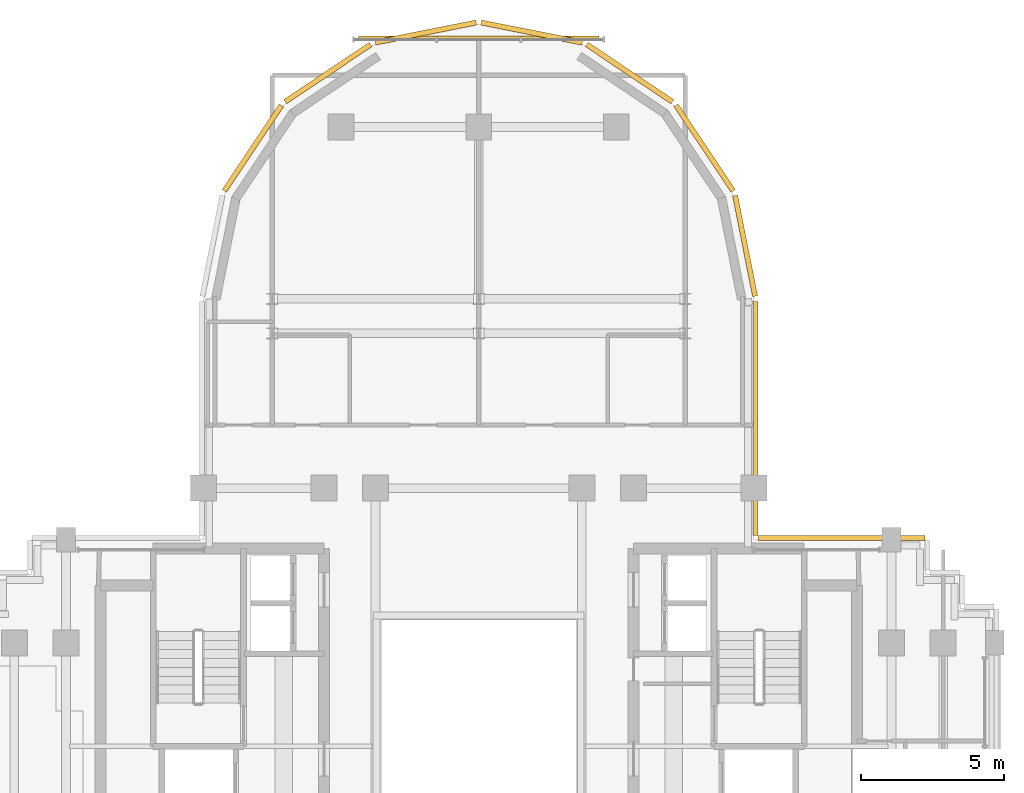
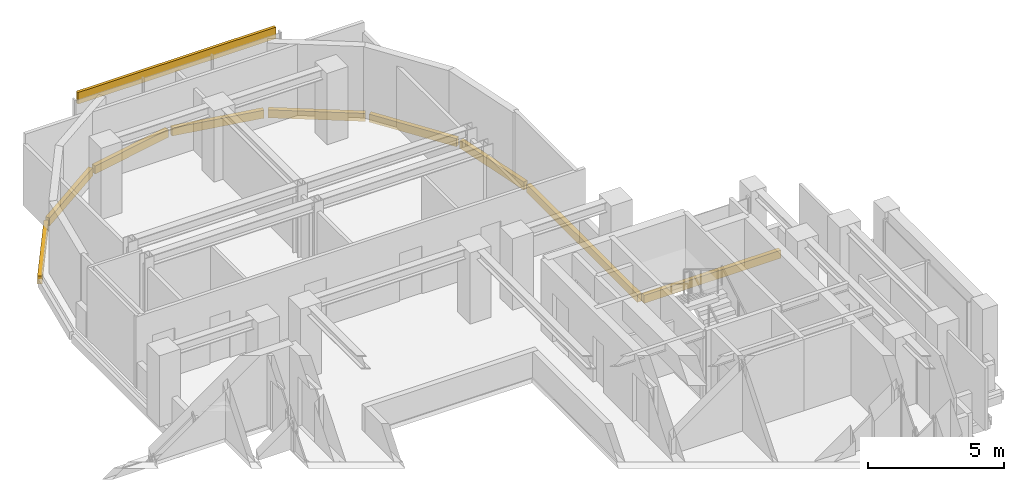
# One storey, part 11 of 11: 10 coverings.
"""IFC4 building model written with IfcOpenShell, lengths in metres."""

from ifc_helpers import new_model, si_unit, direction, frame, origin, origin_2d, place, context, subcontext, project, spatial, rectangle, extrude, source, transform, mapped, material, layer, layer_set, type_object, element, save


model = new_model("IFC4")

# Units and contexts
model_context = context("Model", 3, precision=1e-05, world=origin(), true_north=direction((0.0, 1.0)))
body_context = subcontext(model_context, "Body", "Model", "MODEL_VIEW")
ifc_project = project(units=[si_unit("LENGTHUNIT", "METRE"), si_unit("AREAUNIT", "SQUARE_METRE"), si_unit("VOLUMEUNIT", "CUBIC_METRE"), si_unit("PLANEANGLEUNIT", "RADIAN"), si_unit("MASSUNIT", "GRAM", prefix="KILO")], contexts=[model_context])

# Site, building, storey
site_placement = place(None, origin())
site = spatial("IfcSite", under=ifc_project, at=site_placement, CompositionType="ELEMENT")
building_placement = place(site_placement, origin())
building = spatial("IfcBuilding", under=site, at=building_placement, Name="Keilestroom Media Tower", CompositionType="ELEMENT")
storey_placement = place(building_placement, frame((0.0, 0.0, 194.39990234375)))
storey = spatial("IfcBuildingStorey", under=building, at=storey_placement, Name="L53", CompositionType="ELEMENT", Elevation=194.39990234375)

# Coverings
ifc_material = material(Name="Precast concrete C40/50", Category="concrete")
ifc_layer = layer(ifc_material, 0.1201171875)
ifc_layer_set = layer_set([ifc_layer], Name="Precast concrete C40/50")
covering_type = type_object("IfcCoveringType", Name="Exterior-Precast-Spandrel-Cladding-Panel-120", PredefinedType="CLADDING", material=ifc_layer_set)
shared_shape_1 = source(origin(), body_context, "Body", "SweptSolid", [
    extrude(rectangle(XDim=8.39990234375, YDim=0.1201171875, at=origin_2d()), origin(), (0.0, 0.0, 1.0), 0.52001953125),
])
covering_1_placement = place(storey_placement, frame((0.0, 24.719970703125, 2.690185546875), z_axis=(0.0, 0.0, 1.0), x_axis=(1.0, 0.0, 0.0)))
element("IfcCovering", 1, at=covering_1_placement, inside=storey, type_object=covering_type, Name="L53 Precast Spandrel Cladding N", PredefinedType="CLADDING", context=body_context, shape_type="MappedRepresentation", body=[
    mapped(shared_shape_1, transform((0.0, 0.0, 0.0), x_axis=(1.0, 0.0, 0.0), y_axis=(0.0, 1.0, 0.0), z_axis=(0.0, 0.0, 1.0), scale=1.0)),
])
shared_shape_2 = source(origin(), body_context, "Body", "SweptSolid", [
    extrude(rectangle(XDim=8.166015625, YDim=0.179931640625, at=origin_2d()), origin(), (0.0, 0.0, 1.0), 0.360107421875),
])
covering_2_placement = place(storey_placement, frame((9.659912109375, 11.43310546875, -0.5400390625), z_axis=(0.0, 0.0, 1.0), x_axis=(0.0, -1.0, 0.0)))
element("IfcCovering", 2, at=covering_2_placement, inside=storey, type_object=covering_type, Name="L53 Precast Slab-Edge Fascia Cornice 36", PredefinedType="CLADDING", context=body_context, shape_type="MappedRepresentation", body=[
    mapped(shared_shape_2, transform((0.0, 0.0, 0.0), x_axis=(1.0, 0.0, 0.0), y_axis=(0.0, 1.0, 0.0), z_axis=(0.0, 0.0, 1.0), scale=1.0)),
])
shared_shape_3 = source(origin(), body_context, "Body", "SweptSolid", [
    extrude(rectangle(XDim=3.58349609375, YDim=0.179931640625, at=origin_2d()), origin(), (0.0, 0.0, 1.0), 0.360107421875),
])
covering_3_placement = place(storey_placement, frame((9.29296875, 17.45166015625, -0.5400390625), z_axis=(0.0, 0.0, 1.0), x_axis=(0.195098880975, -0.980783577882, 0.0)))
element("IfcCovering", 3, at=covering_3_placement, inside=storey, type_object=covering_type, Name="L53 Precast Slab-Edge Fascia Cornice 35", PredefinedType="CLADDING", context=body_context, shape_type="MappedRepresentation", body=[
    mapped(shared_shape_3, transform((0.0, 0.0, 0.0), x_axis=(1.0, 0.0, 0.0), y_axis=(0.0, 1.0, 0.0), z_axis=(0.0, 0.0, 1.0), scale=1.0)),
])
shared_shape_4 = source(origin(), body_context, "Body", "SweptSolid", [
    extrude(rectangle(XDim=3.589599609375, YDim=0.179931640625, at=origin_2d()), origin(), (0.0, 0.0, 1.0), 0.360107421875),
])
for number, where, z_axis, x_axis, name in (
    (4, (-7.878662109375, 20.8642578125, -0.5400390625), (0.0, 0.0, 1.0), (0.555574586577, 0.831466703332, 0.0), "L53 Precast Slab-Edge Fascia Cornice 29"),
    (5, (-5.264404296875, 23.478515625, -0.5400390625), (0.0, 0.0, 1.0), (0.831466703332, 0.555574586577, 0.0), "L53 Precast Slab-Edge Fascia Cornice 30"),
    (6, (-1.8486328125, 24.893310546875, -0.5400390625), (0.0, 0.0, 1.0), (0.980783577882, 0.195098880975, 0.0), "L53 Precast Slab-Edge Fascia Cornice 31"),
    (7, (1.8486328125, 24.893310546875, -0.5400390625), (0.0, 0.0, 1.0), (0.980783577882, -0.195098880975, 0.0), "L53 Precast Slab-Edge Fascia Cornice 32"),
    (8, (5.264404296875, 23.478515625, -0.5400390625), (0.0, 0.0, 1.0), (0.831466703332, -0.555574586577, 0.0), "L53 Precast Slab-Edge Fascia Cornice 33"),
    (9, (7.878662109375, 20.8642578125, -0.5400390625), (0.0, 0.0, 1.0), (0.555574586577, -0.831466703332, 0.0), "L53 Precast Slab-Edge Fascia Cornice 34"),
):
    element("IfcCovering", number, at=place(storey_placement, frame(where, z_axis=z_axis, x_axis=x_axis)), inside=storey, type_object=covering_type, Name=name, PredefinedType="CLADDING", context=body_context, shape_type="MappedRepresentation", body=[
        mapped(shared_shape_4, transform((0.0, 0.0, 0.0), x_axis=(1.0, 0.0, 0.0), y_axis=(0.0, 1.0, 0.0), z_axis=(0.0, 0.0, 1.0), scale=1.0)),
    ])
shared_shape_5 = source(origin(), body_context, "Body", "SweptSolid", [
    extrude(rectangle(XDim=5.820068359375, YDim=0.179931640625, at=origin_2d()), origin(), (0.0, 0.0, 1.0), 0.360107421875),
])
covering_4_placement = place(storey_placement, frame((12.659912109375, 7.260009765625, -0.5400390625), z_axis=(0.0, 0.0, 1.0), x_axis=(1.0, 0.0, 0.0)))
element("IfcCovering", 10, at=covering_4_placement, inside=storey, type_object=covering_type, Name="L53 Precast Slab-Edge Fascia Cornice 37", PredefinedType="CLADDING", context=body_context, shape_type="MappedRepresentation", body=[
    mapped(shared_shape_5, transform((0.0, 0.0, 0.0), x_axis=(1.0, 0.0, 0.0), y_axis=(0.0, 1.0, 0.0), z_axis=(0.0, 0.0, 1.0), scale=1.0)),
])

save(model, "model.ifc")
